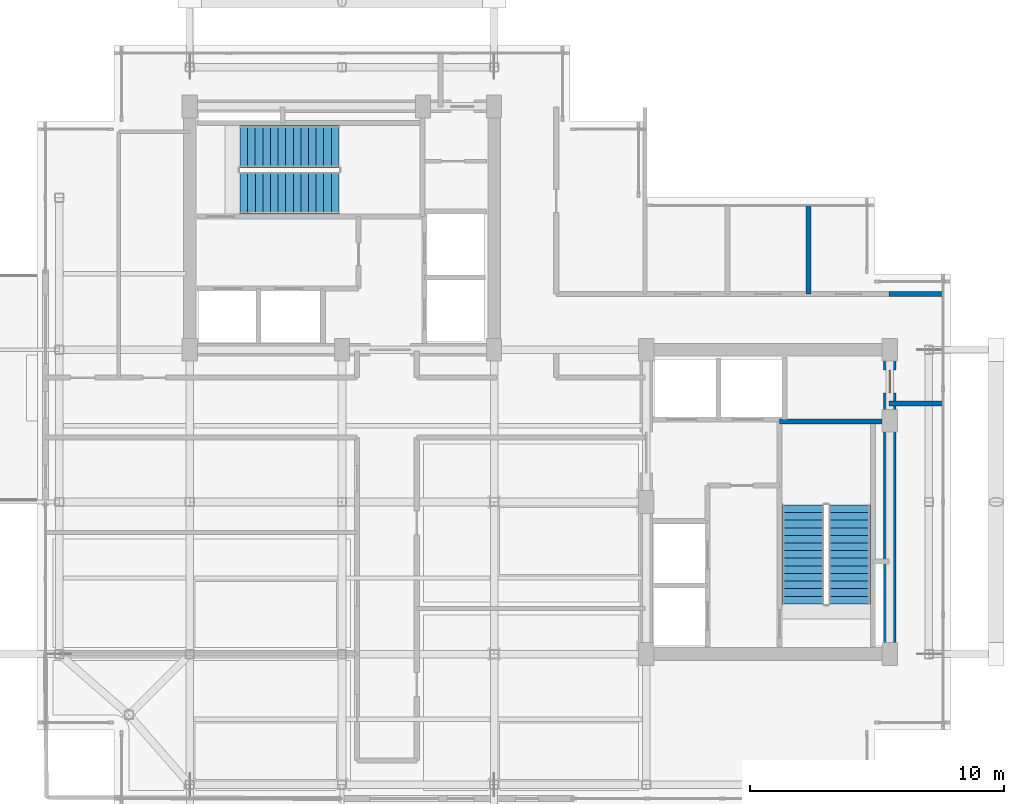
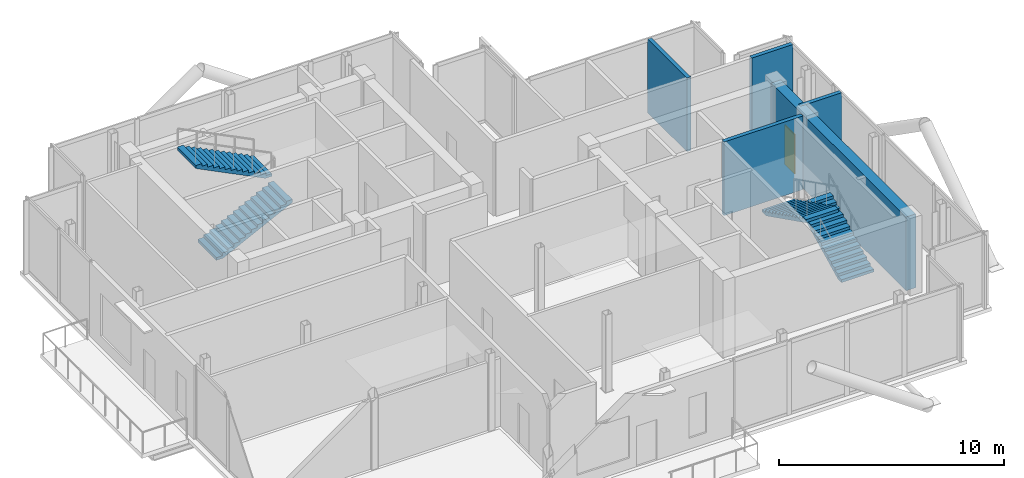
# One storey, part 14 of 16: 5 walls, 4 stair flights, 1 door, 1 opening, 2 elements without a shape of their own.
"""IFC4 building model written with IfcOpenShell, lengths in metres."""

from ifc_helpers import new_model, si_unit, direction, frame, frame_2d, origin, place, context, subcontext, project, spatial, polyline, rectangle, outline, extrude, material, layer, layer_set, type_object, element, fill, aggregate, save


model = new_model("IFC4")

# Units and contexts
model_context = context("Model", 3, precision=1e-05, world=origin(), true_north=direction((0.0, 1.0)))
body_context = subcontext(model_context, "Body", "Model", "MODEL_VIEW")
ifc_project = project(units=[si_unit("LENGTHUNIT", "METRE"), si_unit("AREAUNIT", "SQUARE_METRE"), si_unit("VOLUMEUNIT", "CUBIC_METRE"), si_unit("PLANEANGLEUNIT", "RADIAN"), si_unit("MASSUNIT", "GRAM", prefix="KILO"), si_unit("THERMODYNAMICTEMPERATUREUNIT", "KELVIN"), si_unit("POWERUNIT", "WATT")], contexts=[model_context])

# Site, building, storey
site_placement = place(None, origin())
site = spatial("IfcSite", under=ifc_project, at=site_placement, CompositionType="ELEMENT")
building_placement = place(site_placement, origin())
building = spatial("IfcBuilding", under=site, at=building_placement, Name="Svarakhadi Broadcast Tower", CompositionType="ELEMENT")
storey_placement = place(building_placement, frame((0.0, 0.0, 292.199951171875)))
storey = spatial("IfcBuildingStorey", under=building, at=storey_placement, Name="L74", CompositionType="ELEMENT", Elevation=292.199951171875)

# Walls
ifc_material_1 = material(Name="Double-Stud Acoustic Studio Partition STC-62", Category="gypsum")
ifc_layer_1 = layer(ifc_material_1, 0.199951171875)
ifc_layer_set_1 = layer_set([ifc_layer_1], Name="Double-Stud Acoustic Studio Partition STC-62")
wall_type_1 = type_object("IfcWallType", Name="Wall_Acoust_200", PredefinedType="PARTITIONING", material=ifc_layer_set_1)
for number, where, z_axis, x_axis, name in (
    (1, (33.580078125, 20.199951171875, 0.0), (0.0, 0.0, 1.0), (1.0, 0.0, 0.0), "L74 Upper Tower Concourse Wall"),
    (2, (35.699951171875, 15.8798828125, 0.0), (0.0, 0.0, 1.0), (-1.0, 0.0, 0.0), "L74 Upper Tower Concourse Wall"),
):
    element("IfcWall", number, at=place(storey_placement, frame(where, z_axis=z_axis, x_axis=x_axis)), inside=storey, type_object=wall_type_1, Name=name, PredefinedType="PARTITIONING", context=body_context, shape_type="SweptSolid", body=[
        extrude(rectangle(XDim=2.119873046875, YDim=0.199951171875, at=frame_2d((1.06005859375, 0.0))), origin(), (0.0, 0.0, 1.0), 4.0),
    ])
wall_1_placement = place(storey_placement, frame((30.39990234375, 20.199951171875, 0.0), z_axis=(0.0, 0.0, 1.0), x_axis=(0.0, 1.0, 0.0)))
element("IfcWall", 3, at=wall_1_placement, inside=storey, type_object=wall_type_1, Name="L74 Private Sommelier Tasting Pantry Wall", PredefinedType="PARTITIONING", context=body_context, shape_type="SweptSolid", body=[
    extrude(rectangle(XDim=3.5, YDim=0.199951171875, at=frame_2d((1.75, 0.0))), origin(), (0.0, 0.0, 1.0), 4.0),
])
ifc_material_2 = material(Name="Concrete C50/60 (IS 456 M60)", Category="concrete")
ifc_layer_2 = layer(ifc_material_2, 0.199951171875)
ifc_layer_set_2 = layer_set([ifc_layer_2], Name="Concrete C50/60 (IS 456 M60)")
wall_type_2 = type_object("IfcWallType", Name="Wall_Shear_200", PredefinedType="SHEAR", material=ifc_layer_set_2)
wall_2_placement = place(storey_placement, frame((29.260009765625, 15.179931640625, 0.0), z_axis=(0.0, 0.0, 1.0), x_axis=(1.0, 0.0, 0.0)))
element("IfcWall", 4, at=wall_2_placement, inside=storey, type_object=wall_type_2, Name="L74 Stair ST-02 North RC Shaft Wall", PredefinedType="SHEAR", context=body_context, shape_type="SweptSolid", body=[
    extrude(rectangle(XDim=4.0400390625, YDim=0.199951171875, at=frame_2d((2.02001953125, 0.0))), origin(), (0.0, 0.0, 1.0), 4.0),
])

# Wall, opening, door
ifc_layer_3 = layer(ifc_material_2, 0.5)
ifc_layer_set_3 = layer_set([ifc_layer_3], Name="Concrete C50/60 (IS 456 M60)")
wall_type_3 = type_object("IfcWallType", Name="Wall_Shear_500", PredefinedType="SHEAR", material=ifc_layer_set_3)
wall_3_placement = place(storey_placement, frame((33.60009765625, 6.0, 0.0), z_axis=(0.0, 0.0, 1.0), x_axis=(0.0, 1.0, 0.0)))
wall_3 = element("IfcWall", 5, at=wall_3_placement, inside=storey, type_object=wall_type_3, Name="L74 East Core East Shear Wall", PredefinedType="SHEAR", context=body_context, shape_type="SweptSolid", body=[
    extrude(rectangle(XDim=12.0, YDim=0.5, at=frame_2d((6.0, 0.0))), origin(), (0.0, 0.0, 1.0), 4.0),
])
opening_placement = place(wall_3_placement, frame((10.300048828125, 0.0, 0.0)))
opening = element("IfcOpeningElement", 6, at=opening_placement, cuts=wall_3, Name="Opening D-03", PredefinedType="OPENING", context=body_context, shape_type="SweptSolid", body=[
    extrude(rectangle(XDim=0.89990234375, YDim=2.14990234375, at=frame_2d((0.449951171875, 1.074951171875))), frame((0.0, 0.260009765625, 0.0), z_axis=(0.0, -1.0, 0.0), x_axis=(1.0, 0.0, 0.0)), (0.0, 0.0, 1.0), 0.52001953125),
])
ifc_material_3 = material(Name="Galvanised Powder-Coated Fire-Rated Steel Leaf", Category="steel")
door_type = type_object("IfcDoorType", Name="Door_Fire_D03", OperationType="SINGLE_SWING_LEFT", PredefinedType="DOOR", material=ifc_material_3)
door_placement = place(opening_placement, origin())
door = element("IfcDoor", 7, at=door_placement, inside=storey, type_object=door_type, Name="L74 East Core Service Store Door", OperationType="SINGLE_SWING_LEFT", OverallHeight=2.14990234375, OverallWidth=0.89990234375, PredefinedType="DOOR", context=body_context, shape_type="SweptSolid", body=[
    extrude(rectangle(XDim=0.89990234375, YDim=2.14990234375, at=frame_2d((0.449951171875, 1.074951171875))), frame((0.0, 0.02490234375, 0.0), z_axis=(0.0, -1.0, 0.0), x_axis=(1.0, 0.0, 0.0)), (0.0, 0.0, 1.0), 0.050048828125),
])
fill(opening, door)

# Stair, stair flights
ifc_material_4 = material(Name="Concrete C40/50 (IS 456 M50)", Category="concrete")
stair_type = type_object("IfcStairType", Name="Stair_Exit_Core", PredefinedType="HALF_TURN_STAIR", material=ifc_material_4)
stair_1_placement = place(storey_placement, origin())
stair_1 = element("IfcStair", 8, at=stair_1_placement, inside=storey, type_object=stair_type, Name="L74 West Core Protected Exit Stair ST-01", PredefinedType="HALF_TURN_STAIR")
stair_flight_type = type_object("IfcStairFlightType", Name="Flight_RC_1680", PredefinedType="STRAIGHT", material=ifc_material_4)
stair_flight_1_placement = place(storey_placement, frame((7.97998046875, 24.18994140625, 0.0), z_axis=(0.0, 0.0, 1.0), x_axis=(1.0, 0.0, 0.0)))
stair_flight_1 = element("IfcStairFlight", 9, at=stair_flight_1_placement, type_object=stair_flight_type, Name="ST-01 flight 1", NumberOfRisers=14, NumberOfTreads=13, PredefinedType="STRAIGHT", RiserHeight=0.15, TreadLength=0.3, context=body_context, shape_type="SweptSolid", body=[
    extrude(outline(polyline([(0.0, 0.0), (0.0, 0.14990234375), (0.300048828125, 0.14990234375), (0.300048828125, 0.300048828125), (0.60009765625, 0.300048828125), (0.60009765625, 0.449951171875), (0.89990234375, 0.449951171875), (0.89990234375, 0.60009765625), (1.199951171875, 0.60009765625), (1.199951171875, 0.75), (1.5, 0.75), (1.5, 0.89990234375), (1.800048828125, 0.89990234375), (1.800048828125, 1.050048828125), (2.10009765625, 1.050048828125), (2.10009765625, 1.199951171875), (2.39990234375, 1.199951171875), (2.39990234375, 1.35009765625), (2.699951171875, 1.35009765625), (2.699951171875, 1.5), (3.0, 1.5), (3.0, 1.64990234375), (3.300048828125, 1.64990234375), (3.300048828125, 1.800048828125), (3.60009765625, 1.800048828125), (3.60009765625, 1.949951171875), (3.89990234375, 1.949951171875), (3.89990234375, 2.10009765625), (3.89990234375, 1.782470703125), (0.335205078125, 0.0), (0.0, 0.0)])), frame((0.0, 0.830078125, 0.0), z_axis=(0.0, -1.0, 0.0), x_axis=(1.0, 0.0, 0.0)), (0.0, 0.0, 1.0), 1.659912109375),
])
stair_flight_2_placement = place(storey_placement, frame((11.8798828125, 26.010009765625, 2.10009765625), z_axis=(0.0, 0.0, 1.0), x_axis=(-1.0, 0.0, 0.0)))
stair_flight_2 = element("IfcStairFlight", 10, at=stair_flight_2_placement, type_object=stair_flight_type, Name="ST-01 flight 2", NumberOfRisers=14, NumberOfTreads=13, PredefinedType="STRAIGHT", RiserHeight=0.15, TreadLength=0.3, context=body_context, shape_type="SweptSolid", body=[
    extrude(outline(polyline([(0.0, 0.0), (0.0, 0.14990234375), (0.300048828125, 0.14990234375), (0.300048828125, 0.300048828125), (0.60009765625, 0.300048828125), (0.60009765625, 0.449951171875), (0.89990234375, 0.449951171875), (0.89990234375, 0.60009765625), (1.199951171875, 0.60009765625), (1.199951171875, 0.75), (1.5, 0.75), (1.5, 0.89990234375), (1.800048828125, 0.89990234375), (1.800048828125, 1.050048828125), (2.10009765625, 1.050048828125), (2.10009765625, 1.199951171875), (2.39990234375, 1.199951171875), (2.39990234375, 1.35009765625), (2.699951171875, 1.35009765625), (2.699951171875, 1.5), (3.0, 1.5), (3.0, 1.64990234375), (3.300048828125, 1.64990234375), (3.300048828125, 1.800048828125), (3.60009765625, 1.800048828125), (3.60009765625, 1.949951171875), (3.89990234375, 1.949951171875), (3.89990234375, 2.10009765625), (3.89990234375, 1.782470703125), (0.335205078125, 0.0), (0.0, 0.0)])), frame((0.0, 0.830078125, 0.0), z_axis=(0.0, -1.0, 0.0), x_axis=(1.0, 0.0, 0.0)), (0.0, 0.0, 1.0), 1.659912109375),
])
aggregate(stair_1, [stair_flight_1, stair_flight_2])

stair_2_placement = place(storey_placement, origin())
stair_2 = element("IfcStair", 11, at=stair_2_placement, inside=storey, type_object=stair_type, Name="L74 East Core Protected Exit Stair ST-02", PredefinedType="HALF_TURN_STAIR")
stair_flight_3_placement = place(storey_placement, frame((32.010009765625, 7.97998046875, 0.0), z_axis=(0.0, 0.0, 1.0), x_axis=(0.0, 1.0, 0.0)))
stair_flight_3 = element("IfcStairFlight", 12, at=stair_flight_3_placement, type_object=stair_flight_type, Name="ST-02 flight 1", NumberOfRisers=14, NumberOfTreads=13, PredefinedType="STRAIGHT", RiserHeight=0.15, TreadLength=0.3, context=body_context, shape_type="SweptSolid", body=[
    extrude(outline(polyline([(0.0, 0.0), (0.0, 0.14990234375), (0.300048828125, 0.14990234375), (0.300048828125, 0.300048828125), (0.60009765625, 0.300048828125), (0.60009765625, 0.449951171875), (0.89990234375, 0.449951171875), (0.89990234375, 0.60009765625), (1.199951171875, 0.60009765625), (1.199951171875, 0.75), (1.5, 0.75), (1.5, 0.89990234375), (1.800048828125, 0.89990234375), (1.800048828125, 1.050048828125), (2.10009765625, 1.050048828125), (2.10009765625, 1.199951171875), (2.39990234375, 1.199951171875), (2.39990234375, 1.35009765625), (2.699951171875, 1.35009765625), (2.699951171875, 1.5), (3.0, 1.5), (3.0, 1.64990234375), (3.300048828125, 1.64990234375), (3.300048828125, 1.800048828125), (3.60009765625, 1.800048828125), (3.60009765625, 1.949951171875), (3.89990234375, 1.949951171875), (3.89990234375, 2.10009765625), (3.89990234375, 1.782470703125), (0.335205078125, 0.0), (0.0, 0.0)])), frame((0.0, 0.830078125, 0.0), z_axis=(0.0, -1.0, 0.0), x_axis=(1.0, 0.0, 0.0)), (0.0, 0.0, 1.0), 1.659912109375),
])
stair_flight_4_placement = place(storey_placement, frame((30.18994140625, 11.8798828125, 2.10009765625), z_axis=(0.0, 0.0, 1.0), x_axis=(0.0, -1.0, 0.0)))
stair_flight_4 = element("IfcStairFlight", 13, at=stair_flight_4_placement, type_object=stair_flight_type, Name="ST-02 flight 2", NumberOfRisers=14, NumberOfTreads=13, PredefinedType="STRAIGHT", RiserHeight=0.15, TreadLength=0.3, context=body_context, shape_type="SweptSolid", body=[
    extrude(outline(polyline([(0.0, 0.0), (0.0, 0.14990234375), (0.300048828125, 0.14990234375), (0.300048828125, 0.300048828125), (0.60009765625, 0.300048828125), (0.60009765625, 0.449951171875), (0.89990234375, 0.449951171875), (0.89990234375, 0.60009765625), (1.199951171875, 0.60009765625), (1.199951171875, 0.75), (1.5, 0.75), (1.5, 0.89990234375), (1.800048828125, 0.89990234375), (1.800048828125, 1.050048828125), (2.10009765625, 1.050048828125), (2.10009765625, 1.199951171875), (2.39990234375, 1.199951171875), (2.39990234375, 1.35009765625), (2.699951171875, 1.35009765625), (2.699951171875, 1.5), (3.0, 1.5), (3.0, 1.64990234375), (3.300048828125, 1.64990234375), (3.300048828125, 1.800048828125), (3.60009765625, 1.800048828125), (3.60009765625, 1.949951171875), (3.89990234375, 1.949951171875), (3.89990234375, 2.10009765625), (3.89990234375, 1.782470703125), (0.335205078125, 0.0), (0.0, 0.0)])), frame((0.0, 0.830078125, 0.0), z_axis=(0.0, -1.0, 0.0), x_axis=(1.0, 0.0, 0.0)), (0.0, 0.0, 1.0), 1.659912109375),
])
aggregate(stair_2, [stair_flight_3, stair_flight_4])

save(model, "model.ifc")
